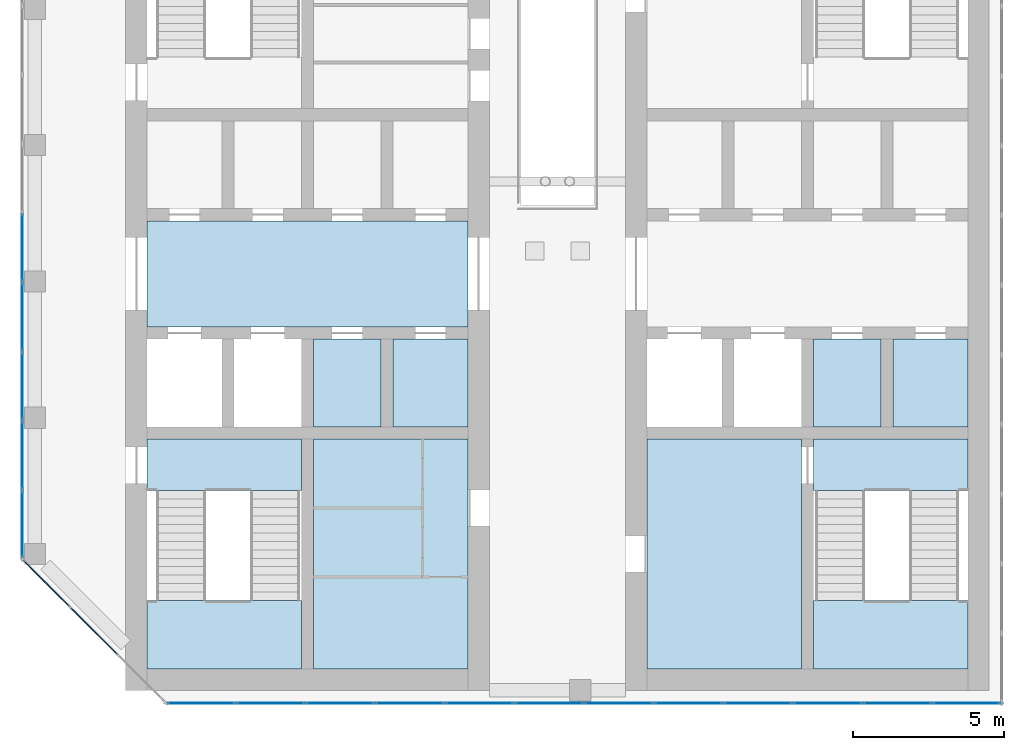
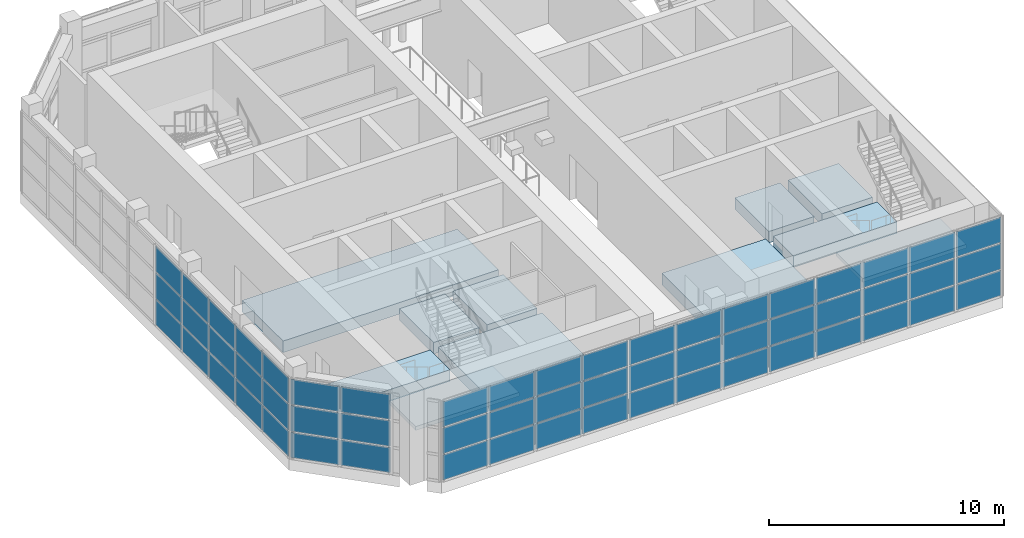
# One storey, part 7 of 13: 57 plates, 11 slabs, 5 elements without a shape of their own.
"""IFC4 building model written with IfcOpenShell, lengths in metres."""

from ifc_helpers import new_model, si_unit, direction, frame, origin, origin_2d, place, context, subcontext, project, spatial, polyline, rectangle, outline, extrude, material, layer, layer_set, type_object, element, aggregate, save


model = new_model("IFC4")

# Units and contexts
model_context = context("Model", 3, precision=1e-05, world=origin(), true_north=direction((0.0, 1.0)))
body_context = subcontext(model_context, "Body", "Model", "MODEL_VIEW")
ifc_project = project(units=[si_unit("LENGTHUNIT", "METRE"), si_unit("AREAUNIT", "SQUARE_METRE"), si_unit("VOLUMEUNIT", "CUBIC_METRE"), si_unit("PLANEANGLEUNIT", "RADIAN"), si_unit("MASSUNIT", "GRAM", prefix="KILO")], contexts=[model_context])

# Site, building, storey
site_placement = place(None, origin())
site = spatial("IfcSite", under=ifc_project, at=site_placement, CompositionType="ELEMENT")
building_placement = place(site_placement, origin())
building = spatial("IfcBuilding", under=site, at=building_placement, Name="Corbel Stack Research Tower", CompositionType="ELEMENT")
storey_placement = place(building_placement, frame((0.0, 0.0, 316.60009765625)))
storey = spatial("IfcBuildingStorey", under=building, at=storey_placement, Name="L71", CompositionType="ELEMENT", Elevation=316.60009765625)

# Curtain wall, plates
ifc_material_1 = material(Name="Aluminium and glass", Category="aluminium")
curtain_wall_type = type_object("IfcCurtainWallType", Name="CW4C damper hall glazing wall, corner", PredefinedType="NOTDEFINED", material=ifc_material_1)
curtain_wall_1_placement = place(storey_placement, origin())
curtain_wall_1 = element("IfcCurtainWall", 1, at=curtain_wall_1_placement, inside=storey, type_object=curtain_wall_type, Name="Damper hall curtain wall L71 1", PredefinedType="NOTDEFINED")
ifc_material_2 = material(Name="Glass, laminated amber tint", Category="glass")
ifc_layer_1 = layer(ifc_material_2, 0.031982421875)
ifc_layer_set_1 = layer_set([ifc_layer_1], Name="Glass, laminated amber tint")
plate_type = type_object("IfcPlateType", Name="CW4 amber laminated glass panel 32", PredefinedType="CURTAIN_PANEL", material=ifc_layer_set_1)
plate_1_placement = place(storey_placement, frame((-11.547119140625, -7.047119140625, 0.059814453125), z_axis=(0.0, 0.0, 1.0), x_axis=(-0.707106781187, 0.707106781187, 0.0)))
plate_1 = element("IfcPlate", 2, at=plate_1_placement, type_object=plate_type, Name="CW4C panel 2.1", PredefinedType="CURTAIN_PANEL", context=body_context, shape_type="SweptSolid", body=[
    extrude(rectangle(XDim=2.17724609375, YDim=0.031982421875, at=origin_2d()), origin(), (0.0, 0.0, 1.0), 1.31005859375),
])
plate_2_placement = place(storey_placement, frame((-11.547119140625, -7.047119140625, 1.4296875), z_axis=(0.0, 0.0, 1.0), x_axis=(-0.707106781187, 0.707106781187, 0.0)))
plate_2 = element("IfcPlate", 3, at=plate_2_placement, type_object=plate_type, Name="CW4C panel 2.2", PredefinedType="CURTAIN_PANEL", context=body_context, shape_type="SweptSolid", body=[
    extrude(rectangle(XDim=2.17724609375, YDim=0.031982421875, at=origin_2d()), origin(), (0.0, 0.0, 1.0), 1.340087890625),
])
plate_3_placement = place(storey_placement, frame((-11.547119140625, -7.047119140625, 2.829833984375), z_axis=(0.0, 0.0, 1.0), x_axis=(-0.707106781187, 0.707106781187, 0.0)))
plate_3 = element("IfcPlate", 4, at=plate_3_placement, type_object=plate_type, Name="CW4C panel 2.3", PredefinedType="CURTAIN_PANEL", context=body_context, shape_type="SweptSolid", body=[
    extrude(rectangle(XDim=2.17724609375, YDim=0.031982421875, at=origin_2d()), origin(), (0.0, 0.0, 1.0), 1.31005859375),
])
plate_4_placement = place(storey_placement, frame((-13.118408203125, -5.4755859375, 0.059814453125), z_axis=(0.0, 0.0, 1.0), x_axis=(-0.707106781187, 0.707106781187, 0.0)))
plate_4 = element("IfcPlate", 5, at=plate_4_placement, type_object=plate_type, Name="CW4C panel 3.1", PredefinedType="CURTAIN_PANEL", context=body_context, shape_type="SweptSolid", body=[
    extrude(rectangle(XDim=2.147216796875, YDim=0.031982421875, at=origin_2d()), origin(), (0.0, 0.0, 1.0), 1.31005859375),
])
plate_5_placement = place(storey_placement, frame((-13.118408203125, -5.4755859375, 1.4296875), z_axis=(0.0, 0.0, 1.0), x_axis=(-0.707106781187, 0.707106781187, 0.0)))
plate_5 = element("IfcPlate", 6, at=plate_5_placement, type_object=plate_type, Name="CW4C panel 3.2", PredefinedType="CURTAIN_PANEL", context=body_context, shape_type="SweptSolid", body=[
    extrude(rectangle(XDim=2.147216796875, YDim=0.031982421875, at=origin_2d()), origin(), (0.0, 0.0, 1.0), 1.340087890625),
])
plate_6_placement = place(storey_placement, frame((-13.118408203125, -5.4755859375, 2.829833984375), z_axis=(0.0, 0.0, 1.0), x_axis=(-0.707106781187, 0.707106781187, 0.0)))
plate_6 = element("IfcPlate", 7, at=plate_6_placement, type_object=plate_type, Name="CW4C panel 3.3", PredefinedType="CURTAIN_PANEL", context=body_context, shape_type="SweptSolid", body=[
    extrude(rectangle(XDim=2.147216796875, YDim=0.031982421875, at=origin_2d()), origin(), (0.0, 0.0, 1.0), 1.31005859375),
])
aggregate(curtain_wall_1, [plate_1, plate_2, plate_3, plate_4, plate_5, plate_6])

curtain_wall_2_placement = place(storey_placement, origin())
curtain_wall_2 = element("IfcCurtainWall", 8, at=curtain_wall_2_placement, inside=storey, type_object=curtain_wall_type, Name="Damper hall curtain wall L71 2", PredefinedType="NOTDEFINED")
plate_7_placement = place(storey_placement, frame((-13.919921875, -3.5166015625, 0.059814453125), z_axis=(0.0, 0.0, 1.0), x_axis=(0.0, 1.0, 0.0)))
plate_7 = element("IfcPlate", 9, at=plate_7_placement, type_object=plate_type, Name="CW4C panel 1.1", PredefinedType="CURTAIN_PANEL", context=body_context, shape_type="SweptSolid", body=[
    extrude(rectangle(XDim=2.19482421875, YDim=0.031982421875, at=origin_2d()), origin(), (0.0, 0.0, 1.0), 1.31005859375),
])
plate_8_placement = place(storey_placement, frame((-13.919921875, -3.5166015625, 1.4296875), z_axis=(0.0, 0.0, 1.0), x_axis=(0.0, 1.0, 0.0)))
plate_8 = element("IfcPlate", 10, at=plate_8_placement, type_object=plate_type, Name="CW4C panel 1.2", PredefinedType="CURTAIN_PANEL", context=body_context, shape_type="SweptSolid", body=[
    extrude(rectangle(XDim=2.19482421875, YDim=0.031982421875, at=origin_2d()), origin(), (0.0, 0.0, 1.0), 1.340087890625),
])
plate_9_placement = place(storey_placement, frame((-13.919921875, -3.5166015625, 2.829833984375), z_axis=(0.0, 0.0, 1.0), x_axis=(0.0, 1.0, 0.0)))
plate_9 = element("IfcPlate", 11, at=plate_9_placement, type_object=plate_type, Name="CW4C panel 1.3", PredefinedType="CURTAIN_PANEL", context=body_context, shape_type="SweptSolid", body=[
    extrude(rectangle(XDim=2.19482421875, YDim=0.031982421875, at=origin_2d()), origin(), (0.0, 0.0, 1.0), 1.31005859375),
])
plate_10_placement = place(storey_placement, frame((-13.919921875, -1.246826171875, 0.059814453125), z_axis=(0.0, 0.0, 1.0), x_axis=(0.0, 1.0, 0.0)))
plate_10 = element("IfcPlate", 12, at=plate_10_placement, type_object=plate_type, Name="CW4C panel 2.1", PredefinedType="CURTAIN_PANEL", context=body_context, shape_type="SweptSolid", body=[
    extrude(rectangle(XDim=2.224853515625, YDim=0.031982421875, at=origin_2d()), origin(), (0.0, 0.0, 1.0), 1.31005859375),
])
plate_11_placement = place(storey_placement, frame((-13.919921875, -1.246826171875, 1.4296875), z_axis=(0.0, 0.0, 1.0), x_axis=(0.0, 1.0, 0.0)))
plate_11 = element("IfcPlate", 13, at=plate_11_placement, type_object=plate_type, Name="CW4C panel 2.2", PredefinedType="CURTAIN_PANEL", context=body_context, shape_type="SweptSolid", body=[
    extrude(rectangle(XDim=2.224853515625, YDim=0.031982421875, at=origin_2d()), origin(), (0.0, 0.0, 1.0), 1.340087890625),
])
plate_12_placement = place(storey_placement, frame((-13.919921875, -1.246826171875, 2.829833984375), z_axis=(0.0, 0.0, 1.0), x_axis=(0.0, 1.0, 0.0)))
plate_12 = element("IfcPlate", 14, at=plate_12_placement, type_object=plate_type, Name="CW4C panel 2.3", PredefinedType="CURTAIN_PANEL", context=body_context, shape_type="SweptSolid", body=[
    extrude(rectangle(XDim=2.224853515625, YDim=0.031982421875, at=origin_2d()), origin(), (0.0, 0.0, 1.0), 1.31005859375),
])
plate_13_placement = place(storey_placement, frame((-13.919921875, 1.0380859375, 0.059814453125), z_axis=(0.0, 0.0, 1.0), x_axis=(0.0, 1.0, 0.0)))
plate_13 = element("IfcPlate", 15, at=plate_13_placement, type_object=plate_type, Name="CW4C panel 3.1", PredefinedType="CURTAIN_PANEL", context=body_context, shape_type="SweptSolid", body=[
    extrude(rectangle(XDim=2.224853515625, YDim=0.031982421875, at=origin_2d()), origin(), (0.0, 0.0, 1.0), 1.31005859375),
])
plate_14_placement = place(storey_placement, frame((-13.919921875, 1.0380859375, 1.4296875), z_axis=(0.0, 0.0, 1.0), x_axis=(0.0, 1.0, 0.0)))
plate_14 = element("IfcPlate", 16, at=plate_14_placement, type_object=plate_type, Name="CW4C panel 3.2", PredefinedType="CURTAIN_PANEL", context=body_context, shape_type="SweptSolid", body=[
    extrude(rectangle(XDim=2.224853515625, YDim=0.031982421875, at=origin_2d()), origin(), (0.0, 0.0, 1.0), 1.340087890625),
])
plate_15_placement = place(storey_placement, frame((-13.919921875, 1.0380859375, 2.829833984375), z_axis=(0.0, 0.0, 1.0), x_axis=(0.0, 1.0, 0.0)))
plate_15 = element("IfcPlate", 17, at=plate_15_placement, type_object=plate_type, Name="CW4C panel 3.3", PredefinedType="CURTAIN_PANEL", context=body_context, shape_type="SweptSolid", body=[
    extrude(rectangle(XDim=2.224853515625, YDim=0.031982421875, at=origin_2d()), origin(), (0.0, 0.0, 1.0), 1.31005859375),
])
plate_16_placement = place(storey_placement, frame((-13.919921875, 3.32275390625, 0.059814453125), z_axis=(0.0, 0.0, 1.0), x_axis=(0.0, 1.0, 0.0)))
plate_16 = element("IfcPlate", 18, at=plate_16_placement, type_object=plate_type, Name="CW4C panel 4.1", PredefinedType="CURTAIN_PANEL", context=body_context, shape_type="SweptSolid", body=[
    extrude(rectangle(XDim=2.224853515625, YDim=0.031982421875, at=origin_2d()), origin(), (0.0, 0.0, 1.0), 1.31005859375),
])
plate_17_placement = place(storey_placement, frame((-13.919921875, 3.32275390625, 1.4296875), z_axis=(0.0, 0.0, 1.0), x_axis=(0.0, 1.0, 0.0)))
plate_17 = element("IfcPlate", 19, at=plate_17_placement, type_object=plate_type, Name="CW4C panel 4.2", PredefinedType="CURTAIN_PANEL", context=body_context, shape_type="SweptSolid", body=[
    extrude(rectangle(XDim=2.224853515625, YDim=0.031982421875, at=origin_2d()), origin(), (0.0, 0.0, 1.0), 1.340087890625),
])
plate_18_placement = place(storey_placement, frame((-13.919921875, 3.32275390625, 2.829833984375), z_axis=(0.0, 0.0, 1.0), x_axis=(0.0, 1.0, 0.0)))
plate_18 = element("IfcPlate", 20, at=plate_18_placement, type_object=plate_type, Name="CW4C panel 4.3", PredefinedType="CURTAIN_PANEL", context=body_context, shape_type="SweptSolid", body=[
    extrude(rectangle(XDim=2.224853515625, YDim=0.031982421875, at=origin_2d()), origin(), (0.0, 0.0, 1.0), 1.31005859375),
])
plate_19_placement = place(storey_placement, frame((-13.919921875, 5.607666015625, 0.059814453125), z_axis=(0.0, 0.0, 1.0), x_axis=(0.0, 1.0, 0.0)))
plate_19 = element("IfcPlate", 21, at=plate_19_placement, type_object=plate_type, Name="CW4C panel 5.1", PredefinedType="CURTAIN_PANEL", context=body_context, shape_type="SweptSolid", body=[
    extrude(rectangle(XDim=2.224853515625, YDim=0.031982421875, at=origin_2d()), origin(), (0.0, 0.0, 1.0), 1.31005859375),
])
plate_20_placement = place(storey_placement, frame((-13.919921875, 5.607666015625, 1.4296875), z_axis=(0.0, 0.0, 1.0), x_axis=(0.0, 1.0, 0.0)))
plate_20 = element("IfcPlate", 22, at=plate_20_placement, type_object=plate_type, Name="CW4C panel 5.2", PredefinedType="CURTAIN_PANEL", context=body_context, shape_type="SweptSolid", body=[
    extrude(rectangle(XDim=2.224853515625, YDim=0.031982421875, at=origin_2d()), origin(), (0.0, 0.0, 1.0), 1.340087890625),
])
plate_21_placement = place(storey_placement, frame((-13.919921875, 5.607666015625, 2.829833984375), z_axis=(0.0, 0.0, 1.0), x_axis=(0.0, 1.0, 0.0)))
plate_21 = element("IfcPlate", 23, at=plate_21_placement, type_object=plate_type, Name="CW4C panel 5.3", PredefinedType="CURTAIN_PANEL", context=body_context, shape_type="SweptSolid", body=[
    extrude(rectangle(XDim=2.224853515625, YDim=0.031982421875, at=origin_2d()), origin(), (0.0, 0.0, 1.0), 1.31005859375),
])
aggregate(curtain_wall_2, [plate_7, plate_8, plate_9, plate_10, plate_11, plate_12, plate_13, plate_14, plate_15, plate_16, plate_17, plate_18, plate_19, plate_20, plate_21])

curtain_wall_3_placement = place(storey_placement, origin())
curtain_wall_3 = element("IfcCurtainWall", 24, at=curtain_wall_3_placement, inside=storey, type_object=curtain_wall_type, Name="Damper hall curtain wall L71 7", PredefinedType="NOTDEFINED")
plate_22_placement = place(storey_placement, frame((17.25537109375, -9.419921875, 0.059814453125), z_axis=(0.0, 0.0, 1.0), x_axis=(-1.0, 0.0, 0.0)))
plate_22 = element("IfcPlate", 25, at=plate_22_placement, type_object=plate_type, Name="CW4C panel 1.1", PredefinedType="CURTAIN_PANEL", context=body_context, shape_type="SweptSolid", body=[
    extrude(rectangle(XDim=2.20947265625, YDim=0.031982421875, at=origin_2d()), origin(), (0.0, 0.0, 1.0), 1.31005859375),
])
plate_23_placement = place(storey_placement, frame((17.25537109375, -9.419921875, 1.4296875), z_axis=(0.0, 0.0, 1.0), x_axis=(-1.0, 0.0, 0.0)))
plate_23 = element("IfcPlate", 26, at=plate_23_placement, type_object=plate_type, Name="CW4C panel 1.2", PredefinedType="CURTAIN_PANEL", context=body_context, shape_type="SweptSolid", body=[
    extrude(rectangle(XDim=2.20947265625, YDim=0.031982421875, at=origin_2d()), origin(), (0.0, 0.0, 1.0), 1.340087890625),
])
plate_24_placement = place(storey_placement, frame((17.25537109375, -9.419921875, 2.829833984375), z_axis=(0.0, 0.0, 1.0), x_axis=(-1.0, 0.0, 0.0)))
plate_24 = element("IfcPlate", 27, at=plate_24_placement, type_object=plate_type, Name="CW4C panel 1.3", PredefinedType="CURTAIN_PANEL", context=body_context, shape_type="SweptSolid", body=[
    extrude(rectangle(XDim=2.20947265625, YDim=0.031982421875, at=origin_2d()), origin(), (0.0, 0.0, 1.0), 1.31005859375),
])
plate_25_placement = place(storey_placement, frame((14.970703125, -9.419921875, 0.059814453125), z_axis=(0.0, 0.0, 1.0), x_axis=(-1.0, 0.0, 0.0)))
plate_25 = element("IfcPlate", 28, at=plate_25_placement, type_object=plate_type, Name="CW4C panel 2.1", PredefinedType="CURTAIN_PANEL", context=body_context, shape_type="SweptSolid", body=[
    extrude(rectangle(XDim=2.239501953125, YDim=0.031982421875, at=origin_2d()), origin(), (0.0, 0.0, 1.0), 1.31005859375),
])
plate_26_placement = place(storey_placement, frame((14.970703125, -9.419921875, 1.4296875), z_axis=(0.0, 0.0, 1.0), x_axis=(-1.0, 0.0, 0.0)))
plate_26 = element("IfcPlate", 29, at=plate_26_placement, type_object=plate_type, Name="CW4C panel 2.2", PredefinedType="CURTAIN_PANEL", context=body_context, shape_type="SweptSolid", body=[
    extrude(rectangle(XDim=2.239501953125, YDim=0.031982421875, at=origin_2d()), origin(), (0.0, 0.0, 1.0), 1.340087890625),
])
plate_27_placement = place(storey_placement, frame((14.970703125, -9.419921875, 2.829833984375), z_axis=(0.0, 0.0, 1.0), x_axis=(-1.0, 0.0, 0.0)))
plate_27 = element("IfcPlate", 30, at=plate_27_placement, type_object=plate_type, Name="CW4C panel 2.3", PredefinedType="CURTAIN_PANEL", context=body_context, shape_type="SweptSolid", body=[
    extrude(rectangle(XDim=2.239501953125, YDim=0.031982421875, at=origin_2d()), origin(), (0.0, 0.0, 1.0), 1.31005859375),
])
plate_28_placement = place(storey_placement, frame((12.671142578125, -9.419921875, 0.059814453125), z_axis=(0.0, 0.0, 1.0), x_axis=(-1.0, 0.0, 0.0)))
plate_28 = element("IfcPlate", 31, at=plate_28_placement, type_object=plate_type, Name="CW4C panel 3.1", PredefinedType="CURTAIN_PANEL", context=body_context, shape_type="SweptSolid", body=[
    extrude(rectangle(XDim=2.239501953125, YDim=0.031982421875, at=origin_2d()), origin(), (0.0, 0.0, 1.0), 1.31005859375),
])
plate_29_placement = place(storey_placement, frame((12.671142578125, -9.419921875, 1.4296875), z_axis=(0.0, 0.0, 1.0), x_axis=(-1.0, 0.0, 0.0)))
plate_29 = element("IfcPlate", 32, at=plate_29_placement, type_object=plate_type, Name="CW4C panel 3.2", PredefinedType="CURTAIN_PANEL", context=body_context, shape_type="SweptSolid", body=[
    extrude(rectangle(XDim=2.239501953125, YDim=0.031982421875, at=origin_2d()), origin(), (0.0, 0.0, 1.0), 1.340087890625),
])
plate_30_placement = place(storey_placement, frame((12.671142578125, -9.419921875, 2.829833984375), z_axis=(0.0, 0.0, 1.0), x_axis=(-1.0, 0.0, 0.0)))
plate_30 = element("IfcPlate", 33, at=plate_30_placement, type_object=plate_type, Name="CW4C panel 3.3", PredefinedType="CURTAIN_PANEL", context=body_context, shape_type="SweptSolid", body=[
    extrude(rectangle(XDim=2.239501953125, YDim=0.031982421875, at=origin_2d()), origin(), (0.0, 0.0, 1.0), 1.31005859375),
])
plate_31_placement = place(storey_placement, frame((10.371826171875, -9.419921875, 0.059814453125), z_axis=(0.0, 0.0, 1.0), x_axis=(-1.0, 0.0, 0.0)))
plate_31 = element("IfcPlate", 34, at=plate_31_placement, type_object=plate_type, Name="CW4C panel 4.1", PredefinedType="CURTAIN_PANEL", context=body_context, shape_type="SweptSolid", body=[
    extrude(rectangle(XDim=2.239501953125, YDim=0.031982421875, at=origin_2d()), origin(), (0.0, 0.0, 1.0), 1.31005859375),
])
plate_32_placement = place(storey_placement, frame((10.371826171875, -9.419921875, 1.4296875), z_axis=(0.0, 0.0, 1.0), x_axis=(-1.0, 0.0, 0.0)))
plate_32 = element("IfcPlate", 35, at=plate_32_placement, type_object=plate_type, Name="CW4C panel 4.2", PredefinedType="CURTAIN_PANEL", context=body_context, shape_type="SweptSolid", body=[
    extrude(rectangle(XDim=2.239501953125, YDim=0.031982421875, at=origin_2d()), origin(), (0.0, 0.0, 1.0), 1.340087890625),
])
plate_33_placement = place(storey_placement, frame((10.371826171875, -9.419921875, 2.829833984375), z_axis=(0.0, 0.0, 1.0), x_axis=(-1.0, 0.0, 0.0)))
plate_33 = element("IfcPlate", 36, at=plate_33_placement, type_object=plate_type, Name="CW4C panel 4.3", PredefinedType="CURTAIN_PANEL", context=body_context, shape_type="SweptSolid", body=[
    extrude(rectangle(XDim=2.239501953125, YDim=0.031982421875, at=origin_2d()), origin(), (0.0, 0.0, 1.0), 1.31005859375),
])
plate_34_placement = place(storey_placement, frame((8.072265625, -9.419921875, 0.059814453125), z_axis=(0.0, 0.0, 1.0), x_axis=(-1.0, 0.0, 0.0)))
plate_34 = element("IfcPlate", 37, at=plate_34_placement, type_object=plate_type, Name="CW4C panel 5.1", PredefinedType="CURTAIN_PANEL", context=body_context, shape_type="SweptSolid", body=[
    extrude(rectangle(XDim=2.239501953125, YDim=0.031982421875, at=origin_2d()), origin(), (0.0, 0.0, 1.0), 1.31005859375),
])
plate_35_placement = place(storey_placement, frame((8.072265625, -9.419921875, 1.4296875), z_axis=(0.0, 0.0, 1.0), x_axis=(-1.0, 0.0, 0.0)))
plate_35 = element("IfcPlate", 38, at=plate_35_placement, type_object=plate_type, Name="CW4C panel 5.2", PredefinedType="CURTAIN_PANEL", context=body_context, shape_type="SweptSolid", body=[
    extrude(rectangle(XDim=2.239501953125, YDim=0.031982421875, at=origin_2d()), origin(), (0.0, 0.0, 1.0), 1.340087890625),
])
plate_36_placement = place(storey_placement, frame((8.072265625, -9.419921875, 2.829833984375), z_axis=(0.0, 0.0, 1.0), x_axis=(-1.0, 0.0, 0.0)))
plate_36 = element("IfcPlate", 39, at=plate_36_placement, type_object=plate_type, Name="CW4C panel 5.3", PredefinedType="CURTAIN_PANEL", context=body_context, shape_type="SweptSolid", body=[
    extrude(rectangle(XDim=2.239501953125, YDim=0.031982421875, at=origin_2d()), origin(), (0.0, 0.0, 1.0), 1.31005859375),
])
plate_37_placement = place(storey_placement, frame((5.772705078125, -9.419921875, 0.059814453125), z_axis=(0.0, 0.0, 1.0), x_axis=(-1.0, 0.0, 0.0)))
plate_37 = element("IfcPlate", 40, at=plate_37_placement, type_object=plate_type, Name="CW4C panel 6.1", PredefinedType="CURTAIN_PANEL", context=body_context, shape_type="SweptSolid", body=[
    extrude(rectangle(XDim=2.239501953125, YDim=0.031982421875, at=origin_2d()), origin(), (0.0, 0.0, 1.0), 1.31005859375),
])
plate_38_placement = place(storey_placement, frame((5.772705078125, -9.419921875, 1.4296875), z_axis=(0.0, 0.0, 1.0), x_axis=(-1.0, 0.0, 0.0)))
plate_38 = element("IfcPlate", 41, at=plate_38_placement, type_object=plate_type, Name="CW4C panel 6.2", PredefinedType="CURTAIN_PANEL", context=body_context, shape_type="SweptSolid", body=[
    extrude(rectangle(XDim=2.239501953125, YDim=0.031982421875, at=origin_2d()), origin(), (0.0, 0.0, 1.0), 1.340087890625),
])
plate_39_placement = place(storey_placement, frame((5.772705078125, -9.419921875, 2.829833984375), z_axis=(0.0, 0.0, 1.0), x_axis=(-1.0, 0.0, 0.0)))
plate_39 = element("IfcPlate", 42, at=plate_39_placement, type_object=plate_type, Name="CW4C panel 6.3", PredefinedType="CURTAIN_PANEL", context=body_context, shape_type="SweptSolid", body=[
    extrude(rectangle(XDim=2.239501953125, YDim=0.031982421875, at=origin_2d()), origin(), (0.0, 0.0, 1.0), 1.31005859375),
])
plate_40_placement = place(storey_placement, frame((3.47314453125, -9.419921875, 0.059814453125), z_axis=(0.0, 0.0, 1.0), x_axis=(-1.0, 0.0, 0.0)))
plate_40 = element("IfcPlate", 43, at=plate_40_placement, type_object=plate_type, Name="CW4C panel 7.1", PredefinedType="CURTAIN_PANEL", context=body_context, shape_type="SweptSolid", body=[
    extrude(rectangle(XDim=2.239501953125, YDim=0.031982421875, at=origin_2d()), origin(), (0.0, 0.0, 1.0), 1.31005859375),
])
plate_41_placement = place(storey_placement, frame((3.47314453125, -9.419921875, 1.4296875), z_axis=(0.0, 0.0, 1.0), x_axis=(-1.0, 0.0, 0.0)))
plate_41 = element("IfcPlate", 44, at=plate_41_placement, type_object=plate_type, Name="CW4C panel 7.2", PredefinedType="CURTAIN_PANEL", context=body_context, shape_type="SweptSolid", body=[
    extrude(rectangle(XDim=2.239501953125, YDim=0.031982421875, at=origin_2d()), origin(), (0.0, 0.0, 1.0), 1.340087890625),
])
plate_42_placement = place(storey_placement, frame((3.47314453125, -9.419921875, 2.829833984375), z_axis=(0.0, 0.0, 1.0), x_axis=(-1.0, 0.0, 0.0)))
plate_42 = element("IfcPlate", 45, at=plate_42_placement, type_object=plate_type, Name="CW4C panel 7.3", PredefinedType="CURTAIN_PANEL", context=body_context, shape_type="SweptSolid", body=[
    extrude(rectangle(XDim=2.239501953125, YDim=0.031982421875, at=origin_2d()), origin(), (0.0, 0.0, 1.0), 1.31005859375),
])
plate_43_placement = place(storey_placement, frame((1.173828125, -9.419921875, 0.059814453125), z_axis=(0.0, 0.0, 1.0), x_axis=(-1.0, 0.0, 0.0)))
plate_43 = element("IfcPlate", 46, at=plate_43_placement, type_object=plate_type, Name="CW4C panel 8.1", PredefinedType="CURTAIN_PANEL", context=body_context, shape_type="SweptSolid", body=[
    extrude(rectangle(XDim=2.239501953125, YDim=0.031982421875, at=origin_2d()), origin(), (0.0, 0.0, 1.0), 1.31005859375),
])
plate_44_placement = place(storey_placement, frame((1.173828125, -9.419921875, 1.4296875), z_axis=(0.0, 0.0, 1.0), x_axis=(-1.0, 0.0, 0.0)))
plate_44 = element("IfcPlate", 47, at=plate_44_placement, type_object=plate_type, Name="CW4C panel 8.2", PredefinedType="CURTAIN_PANEL", context=body_context, shape_type="SweptSolid", body=[
    extrude(rectangle(XDim=2.239501953125, YDim=0.031982421875, at=origin_2d()), origin(), (0.0, 0.0, 1.0), 1.340087890625),
])
plate_45_placement = place(storey_placement, frame((1.173828125, -9.419921875, 2.829833984375), z_axis=(0.0, 0.0, 1.0), x_axis=(-1.0, 0.0, 0.0)))
plate_45 = element("IfcPlate", 48, at=plate_45_placement, type_object=plate_type, Name="CW4C panel 8.3", PredefinedType="CURTAIN_PANEL", context=body_context, shape_type="SweptSolid", body=[
    extrude(rectangle(XDim=2.239501953125, YDim=0.031982421875, at=origin_2d()), origin(), (0.0, 0.0, 1.0), 1.31005859375),
])
plate_46_placement = place(storey_placement, frame((-1.125732421875, -9.419921875, 0.059814453125), z_axis=(0.0, 0.0, 1.0), x_axis=(-1.0, 0.0, 0.0)))
plate_46 = element("IfcPlate", 49, at=plate_46_placement, type_object=plate_type, Name="CW4C panel 9.1", PredefinedType="CURTAIN_PANEL", context=body_context, shape_type="SweptSolid", body=[
    extrude(rectangle(XDim=2.239501953125, YDim=0.031982421875, at=origin_2d()), origin(), (0.0, 0.0, 1.0), 1.31005859375),
])
plate_47_placement = place(storey_placement, frame((-1.125732421875, -9.419921875, 1.4296875), z_axis=(0.0, 0.0, 1.0), x_axis=(-1.0, 0.0, 0.0)))
plate_47 = element("IfcPlate", 50, at=plate_47_placement, type_object=plate_type, Name="CW4C panel 9.2", PredefinedType="CURTAIN_PANEL", context=body_context, shape_type="SweptSolid", body=[
    extrude(rectangle(XDim=2.239501953125, YDim=0.031982421875, at=origin_2d()), origin(), (0.0, 0.0, 1.0), 1.340087890625),
])
plate_48_placement = place(storey_placement, frame((-1.125732421875, -9.419921875, 2.829833984375), z_axis=(0.0, 0.0, 1.0), x_axis=(-1.0, 0.0, 0.0)))
plate_48 = element("IfcPlate", 51, at=plate_48_placement, type_object=plate_type, Name="CW4C panel 9.3", PredefinedType="CURTAIN_PANEL", context=body_context, shape_type="SweptSolid", body=[
    extrude(rectangle(XDim=2.239501953125, YDim=0.031982421875, at=origin_2d()), origin(), (0.0, 0.0, 1.0), 1.31005859375),
])
plate_49_placement = place(storey_placement, frame((-3.42529296875, -9.419921875, 0.059814453125), z_axis=(0.0, 0.0, 1.0), x_axis=(-1.0, 0.0, 0.0)))
plate_49 = element("IfcPlate", 52, at=plate_49_placement, type_object=plate_type, Name="CW4C panel 10.1", PredefinedType="CURTAIN_PANEL", context=body_context, shape_type="SweptSolid", body=[
    extrude(rectangle(XDim=2.239501953125, YDim=0.031982421875, at=origin_2d()), origin(), (0.0, 0.0, 1.0), 1.31005859375),
])
plate_50_placement = place(storey_placement, frame((-3.42529296875, -9.419921875, 1.4296875), z_axis=(0.0, 0.0, 1.0), x_axis=(-1.0, 0.0, 0.0)))
plate_50 = element("IfcPlate", 53, at=plate_50_placement, type_object=plate_type, Name="CW4C panel 10.2", PredefinedType="CURTAIN_PANEL", context=body_context, shape_type="SweptSolid", body=[
    extrude(rectangle(XDim=2.239501953125, YDim=0.031982421875, at=origin_2d()), origin(), (0.0, 0.0, 1.0), 1.340087890625),
])
plate_51_placement = place(storey_placement, frame((-3.42529296875, -9.419921875, 2.829833984375), z_axis=(0.0, 0.0, 1.0), x_axis=(-1.0, 0.0, 0.0)))
plate_51 = element("IfcPlate", 54, at=plate_51_placement, type_object=plate_type, Name="CW4C panel 10.3", PredefinedType="CURTAIN_PANEL", context=body_context, shape_type="SweptSolid", body=[
    extrude(rectangle(XDim=2.239501953125, YDim=0.031982421875, at=origin_2d()), origin(), (0.0, 0.0, 1.0), 1.31005859375),
])
plate_52_placement = place(storey_placement, frame((-5.724853515625, -9.419921875, 0.059814453125), z_axis=(0.0, 0.0, 1.0), x_axis=(-1.0, 0.0, 0.0)))
plate_52 = element("IfcPlate", 55, at=plate_52_placement, type_object=plate_type, Name="CW4C panel 11.1", PredefinedType="CURTAIN_PANEL", context=body_context, shape_type="SweptSolid", body=[
    extrude(rectangle(XDim=2.239501953125, YDim=0.031982421875, at=origin_2d()), origin(), (0.0, 0.0, 1.0), 1.31005859375),
])
plate_53_placement = place(storey_placement, frame((-5.724853515625, -9.419921875, 1.4296875), z_axis=(0.0, 0.0, 1.0), x_axis=(-1.0, 0.0, 0.0)))
plate_53 = element("IfcPlate", 56, at=plate_53_placement, type_object=plate_type, Name="CW4C panel 11.2", PredefinedType="CURTAIN_PANEL", context=body_context, shape_type="SweptSolid", body=[
    extrude(rectangle(XDim=2.239501953125, YDim=0.031982421875, at=origin_2d()), origin(), (0.0, 0.0, 1.0), 1.340087890625),
])
plate_54_placement = place(storey_placement, frame((-5.724853515625, -9.419921875, 2.829833984375), z_axis=(0.0, 0.0, 1.0), x_axis=(-1.0, 0.0, 0.0)))
plate_54 = element("IfcPlate", 57, at=plate_54_placement, type_object=plate_type, Name="CW4C panel 11.3", PredefinedType="CURTAIN_PANEL", context=body_context, shape_type="SweptSolid", body=[
    extrude(rectangle(XDim=2.239501953125, YDim=0.031982421875, at=origin_2d()), origin(), (0.0, 0.0, 1.0), 1.31005859375),
])
plate_55_placement = place(storey_placement, frame((-8.00927734375, -9.419921875, 0.059814453125), z_axis=(0.0, 0.0, 1.0), x_axis=(-1.0, 0.0, 0.0)))
plate_55 = element("IfcPlate", 58, at=plate_55_placement, type_object=plate_type, Name="CW4C panel 12.1", PredefinedType="CURTAIN_PANEL", context=body_context, shape_type="SweptSolid", body=[
    extrude(rectangle(XDim=2.20947265625, YDim=0.031982421875, at=origin_2d()), origin(), (0.0, 0.0, 1.0), 1.31005859375),
])
plate_56_placement = place(storey_placement, frame((-8.00927734375, -9.419921875, 1.4296875), z_axis=(0.0, 0.0, 1.0), x_axis=(-1.0, 0.0, 0.0)))
plate_56 = element("IfcPlate", 59, at=plate_56_placement, type_object=plate_type, Name="CW4C panel 12.2", PredefinedType="CURTAIN_PANEL", context=body_context, shape_type="SweptSolid", body=[
    extrude(rectangle(XDim=2.20947265625, YDim=0.031982421875, at=origin_2d()), origin(), (0.0, 0.0, 1.0), 1.340087890625),
])
plate_57_placement = place(storey_placement, frame((-8.00927734375, -9.419921875, 2.829833984375), z_axis=(0.0, 0.0, 1.0), x_axis=(-1.0, 0.0, 0.0)))
plate_57 = element("IfcPlate", 60, at=plate_57_placement, type_object=plate_type, Name="CW4C panel 12.3", PredefinedType="CURTAIN_PANEL", context=body_context, shape_type="SweptSolid", body=[
    extrude(rectangle(XDim=2.20947265625, YDim=0.031982421875, at=origin_2d()), origin(), (0.0, 0.0, 1.0), 1.31005859375),
])
aggregate(curtain_wall_3, [plate_22, plate_23, plate_24, plate_25, plate_26, plate_27, plate_28, plate_29, plate_30, plate_31, plate_32, plate_33, plate_34, plate_35, plate_36, plate_37, plate_38, plate_39, plate_40, plate_41, plate_42, plate_43, plate_44, plate_45, plate_46, plate_47, plate_48, plate_49, plate_50, plate_51, plate_52, plate_53, plate_54, plate_55, plate_56, plate_57])

# Slabs
ifc_material_3 = material(Name="Concrete C45/55", Category="concrete")
ifc_layer_2 = layer(ifc_material_3, 0.60009765625)
ifc_layer_set_2 = layer_set([ifc_layer_2], Name="Concrete C45/55")
slab_type_1 = type_object("IfcSlabType", Name="PT-600", PredefinedType="FLOOR", material=ifc_layer_set_2)
slab_1_placement = place(storey_placement, frame((0.0, 0.0, -0.60009765625)))
element("IfcSlab", 61, at=slab_1_placement, inside=storey, type_object=slab_type_1, Name="West core floor L71", PredefinedType="FLOOR", context=body_context, shape_type="SweptSolid", body=[
    extrude(outline(polyline([(-9.800048828125, 6.5), (-9.800048828125, 3.0), (0.800048828125, 3.0), (0.800048828125, 6.5), (-9.800048828125, 6.5)])), origin(), (0.0, 0.0, 1.0), 0.60009765625),
])
slab_2_placement = place(storey_placement, frame((0.0, 0.0, -0.60009765625)))
element("IfcSlab", 62, at=slab_2_placement, inside=storey, type_object=slab_type_1, Name="West core floor L71", PredefinedType="FLOOR", context=body_context, shape_type="SweptSolid", body=[
    extrude(outline(polyline([(-4.300048828125, -0.699951171875), (-4.300048828125, -8.300048828125), (0.800048828125, -8.300048828125), (0.800048828125, -0.699951171875), (-4.300048828125, -0.699951171875)])), origin(), (0.0, 0.0, 1.0), 0.60009765625),
])
slab_3_placement = place(storey_placement, frame((0.0, 0.0, -0.60009765625)))
element("IfcSlab", 63, at=slab_3_placement, inside=storey, type_object=slab_type_1, Name="West core floor L71", PredefinedType="FLOOR", context=body_context, shape_type="SweptSolid", body=[
    extrude(outline(polyline([(-4.300048828125, 2.60009765625), (-4.300048828125, -0.300048828125), (-2.074951171875, -0.300048828125), (-2.074951171875, 2.60009765625), (-4.300048828125, 2.60009765625)])), origin(), (0.0, 0.0, 1.0), 0.60009765625),
])
slab_4_placement = place(storey_placement, frame((0.0, 0.0, -0.60009765625)))
element("IfcSlab", 64, at=slab_4_placement, inside=storey, type_object=slab_type_1, Name="West core floor L71", PredefinedType="FLOOR", context=body_context, shape_type="SweptSolid", body=[
    extrude(outline(polyline([(-1.675048828125, 2.60009765625), (-1.675048828125, -0.300048828125), (0.800048828125, -0.300048828125), (0.800048828125, 2.60009765625), (-1.675048828125, 2.60009765625)])), origin(), (0.0, 0.0, 1.0), 0.60009765625),
])
slab_5_placement = place(storey_placement, frame((0.0, 0.0, -0.60009765625)))
element("IfcSlab", 65, at=slab_5_placement, inside=storey, type_object=slab_type_1, Name="East core floor L71", PredefinedType="FLOOR", context=body_context, shape_type="SweptSolid", body=[
    extrude(outline(polyline([(6.699951171875, -8.300048828125), (11.800048828125, -8.300048828125), (11.800048828125, -0.699951171875), (6.699951171875, -0.699951171875), (6.699951171875, -8.300048828125)])), origin(), (0.0, 0.0, 1.0), 0.60009765625),
])
slab_6_placement = place(storey_placement, frame((0.0, 0.0, -0.60009765625)))
element("IfcSlab", 66, at=slab_6_placement, inside=storey, type_object=slab_type_1, Name="East core floor L71", PredefinedType="FLOOR", context=body_context, shape_type="SweptSolid", body=[
    extrude(outline(polyline([(12.199951171875, 2.60009765625), (12.199951171875, -0.300048828125), (14.425048828125, -0.300048828125), (14.425048828125, 2.60009765625), (12.199951171875, 2.60009765625)])), origin(), (0.0, 0.0, 1.0), 0.60009765625),
])
slab_7_placement = place(storey_placement, frame((0.0, 0.0, -0.60009765625)))
element("IfcSlab", 67, at=slab_7_placement, inside=storey, type_object=slab_type_1, Name="East core floor L71", PredefinedType="FLOOR", context=body_context, shape_type="SweptSolid", body=[
    extrude(outline(polyline([(14.824951171875, 2.60009765625), (14.824951171875, -0.300048828125), (17.300048828125, -0.300048828125), (17.300048828125, 2.60009765625), (14.824951171875, 2.60009765625)])), origin(), (0.0, 0.0, 1.0), 0.60009765625),
])
slab_8_placement = place(storey_placement, frame((0.0, 0.0, -0.60009765625)))
element("IfcSlab", 68, at=slab_8_placement, inside=storey, type_object=slab_type_1, Name="Stair floor landing ST-W1", PredefinedType="FLOOR", context=body_context, shape_type="SweptSolid", body=[
    extrude(outline(polyline([(-9.800048828125, -2.39990234375), (-4.699951171875, -2.39990234375), (-4.699951171875, -0.699951171875), (-9.800048828125, -0.699951171875), (-9.800048828125, -2.39990234375)])), origin(), (0.0, 0.0, 1.0), 0.60009765625),
])
slab_9_placement = place(storey_placement, frame((0.0, 0.0, -0.60009765625)))
element("IfcSlab", 69, at=slab_9_placement, inside=storey, type_object=slab_type_1, Name="Stair floor landing ST-E1", PredefinedType="FLOOR", context=body_context, shape_type="SweptSolid", body=[
    extrude(outline(polyline([(12.199951171875, -2.39990234375), (17.300048828125, -2.39990234375), (17.300048828125, -0.699951171875), (12.199951171875, -0.699951171875), (12.199951171875, -2.39990234375)])), origin(), (0.0, 0.0, 1.0), 0.60009765625),
])

# Stair, slab
ifc_material_4 = material(Name="Concrete C40/50", Category="concrete")
stair_type = type_object("IfcStairType", Name="Exit stair 28 risers", PredefinedType="HALF_TURN_STAIR", material=ifc_material_4)
stair_1_placement = place(storey_placement, origin())
stair_1 = element("IfcStair", 70, at=stair_1_placement, inside=storey, type_object=stair_type, Name="L71 Exit stair ST-W1", PredefinedType="HALF_TURN_STAIR")
ifc_material_5 = material(Name="Concrete C40/50", Category="concrete")
ifc_layer_3 = layer(ifc_material_5, 0.199951171875)
ifc_layer_set_3 = layer_set([ifc_layer_3], Name="Concrete C40/50")
slab_type_2 = type_object("IfcSlabType", Name="Stair landing 200 C40/50", PredefinedType="LANDING", material=ifc_layer_set_3)
slab_10_placement = place(storey_placement, frame((0.0, 0.0, 2.199951171875)))
slab_10 = element("IfcSlab", 71, at=slab_10_placement, type_object=slab_type_2, Name="ST-W1 landing 1", PredefinedType="LANDING", context=body_context, shape_type="SweptSolid", body=[
    extrude(outline(polyline([(-9.800048828125, -8.300048828125), (-9.800048828125, -6.0400390625), (-4.699951171875, -6.0400390625), (-4.699951171875, -8.300048828125), (-9.800048828125, -8.300048828125)])), origin(), (0.0, 0.0, 1.0), 0.199951171875),
])
aggregate(stair_1, [slab_10])

stair_2_placement = place(storey_placement, origin())
stair_2 = element("IfcStair", 72, at=stair_2_placement, inside=storey, type_object=stair_type, Name="L71 Exit stair ST-E1", PredefinedType="HALF_TURN_STAIR")
slab_11_placement = place(storey_placement, frame((0.0, 0.0, 2.199951171875)))
slab_11 = element("IfcSlab", 73, at=slab_11_placement, type_object=slab_type_2, Name="ST-E1 landing 1", PredefinedType="LANDING", context=body_context, shape_type="SweptSolid", body=[
    extrude(outline(polyline([(12.199951171875, -8.300048828125), (12.199951171875, -6.0400390625), (17.300048828125, -6.0400390625), (17.300048828125, -8.300048828125), (12.199951171875, -8.300048828125)])), origin(), (0.0, 0.0, 1.0), 0.199951171875),
])
aggregate(stair_2, [slab_11])

save(model, "model.ifc")
